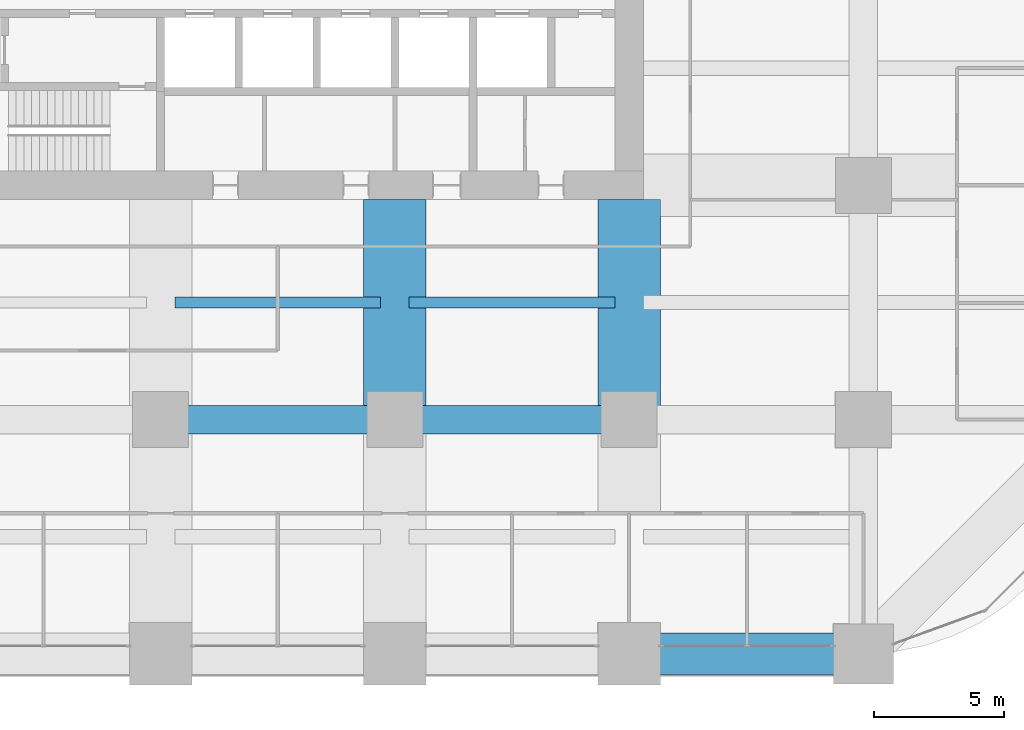
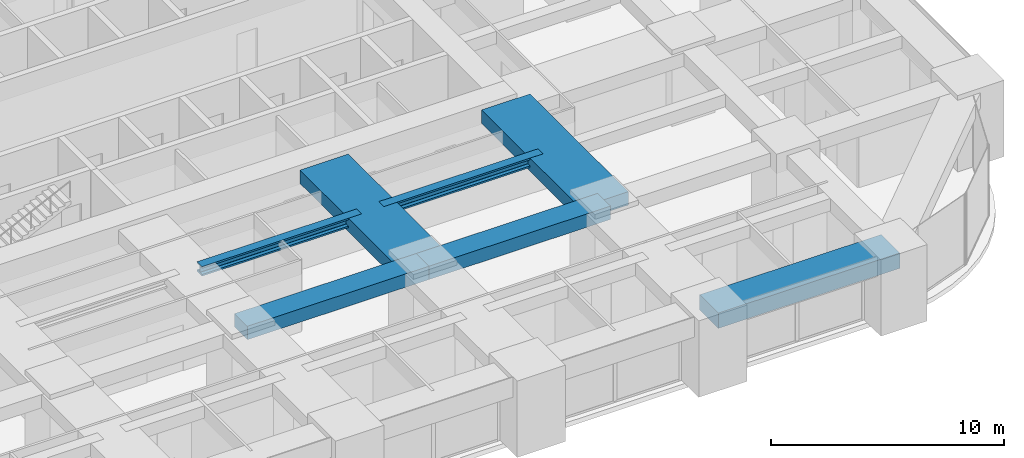
# One storey, part 14 of 45: 7 beams.
"""IFC4 building model written with IfcOpenShell, lengths in metres."""

from ifc_helpers import new_model, si_unit, direction, frame, origin, origin_2d, place, context, subcontext, project, spatial, rectangle, i_section, extrude, material, material_profile, profile_set, type_object, element, save


model = new_model("IFC4")

# Units and contexts
model_context = context("Model", 3, precision=1e-05, world=origin(), true_north=direction((0.0, 1.0)))
body_context = subcontext(model_context, "Body", "Model", "MODEL_VIEW")
ifc_project = project(units=[si_unit("LENGTHUNIT", "METRE"), si_unit("AREAUNIT", "SQUARE_METRE"), si_unit("VOLUMEUNIT", "CUBIC_METRE"), si_unit("PLANEANGLEUNIT", "RADIAN"), si_unit("MASSUNIT", "GRAM", prefix="KILO")], contexts=[model_context])

# Site, building, storey
site_placement = place(None, origin())
site = spatial("IfcSite", under=ifc_project, at=site_placement, CompositionType="ELEMENT")
building_placement = place(site_placement, origin())
building = spatial("IfcBuilding", under=site, at=building_placement, Name="Zorevar Civic Tower", CompositionType="ELEMENT")
storey_placement = place(building_placement, frame((0.0, 0.0, 71.800048828125)))
storey = spatial("IfcBuildingStorey", under=building, at=storey_placement, Name="L17", CompositionType="ELEMENT", Elevation=71.800048828125)

# Beams
ifc_material_1 = material(Name="Concrete C50/60", Category="concrete")
ifc_material_profile_1 = material_profile(ifc_material_1, rectangle(XDim=1.10009765625, YDim=0.699951171875, at=origin_2d()), Name="RC 1100x700")
ifc_profile_set_1 = profile_set([ifc_material_profile_1], Name="Concrete C50/60")
beam_type_1 = type_object("IfcBeamType", Name="Beam RC 1100x700", PredefinedType="BEAM", material=ifc_profile_set_1)
for number, where, z_axis, x_axis, name in (
    (1, (27.0, 9.0, 3.39990234375), (1.0, 0.0, 0.0), (0.0, 1.0, 0.0), "Girder L18"),
    (2, (36.0, 9.0, 3.39990234375), (1.0, 0.0, 0.0), (0.0, 1.0, 0.0), "Girder L18"),
):
    element("IfcBeam", number, at=place(storey_placement, frame(where, z_axis=z_axis, x_axis=x_axis)), inside=storey, type_object=beam_type_1, Name=name, PredefinedType="BEAM", context=body_context, shape_type="SweptSolid", body=[
        extrude(rectangle(XDim=1.10009765625, YDim=0.699951171875, at=origin_2d()), origin(), (0.0, 0.0, 1.0), 9.0),
    ])
ifc_material_2 = material(Name="Concrete C50/60", Category="concrete")
ifc_material_profile_2 = material_profile(ifc_material_2, rectangle(XDim=2.39990234375, YDim=0.699951171875, at=origin_2d()), Name="RC 2400x700")
ifc_profile_set_2 = profile_set([ifc_material_profile_2], Name="Concrete C50/60")
beam_type_2 = type_object("IfcBeamType", Name="Beam RC 2400x700", PredefinedType="BEAM", material=ifc_profile_set_2)
for number, where, z_axis, x_axis, name in (
    (3, (36.0, 9.0, 3.39990234375), (0.0, 1.0, 0.0), (-1.0, 0.0, 0.0), "Girder L18"),
    (4, (45.0, 9.0, 3.39990234375), (0.0, 1.0, 0.0), (-1.0, 0.0, 0.0), "Girder L18"),
):
    element("IfcBeam", number, at=place(storey_placement, frame(where, z_axis=z_axis, x_axis=x_axis)), inside=storey, type_object=beam_type_2, Name=name, PredefinedType="BEAM", context=body_context, shape_type="SweptSolid", body=[
        extrude(rectangle(XDim=2.39990234375, YDim=0.699951171875, at=origin_2d()), origin(), (0.0, 0.0, 1.0), 8.449951171875),
    ])
ifc_material_3 = material(Name="Steel S460M (HISTAR 460)", Category="steel")
ifc_material_profile_3 = material_profile(ifc_material_3, i_section(OverallWidth=0.431884765625, OverallDepth=0.498046875, WebThickness=0.0556640625, FlangeThickness=0.0888671875, FilletRadius=0.014892578125, at=origin_2d()), Name="HD 400x744")
ifc_profile_set_3 = profile_set([ifc_material_profile_3], Name="Steel S460M (HISTAR 460)")
beam_type_3 = type_object("IfcBeamType", Name="Core bay beam HD 400x744", PredefinedType="BEAM", material=ifc_profile_set_3)
for number, where, z_axis, x_axis, name in (
    (5, (27.550048828125, 13.5, 3.5009765625), (1.0, 0.0, 0.0), (0.0, 1.0, 0.0), "Secondary beam L18"),
    (6, (36.550048828125, 13.5, 3.5009765625), (1.0, 0.0, 0.0), (0.0, 1.0, 0.0), "Secondary beam L18"),
):
    element("IfcBeam", number, at=place(storey_placement, frame(where, z_axis=z_axis, x_axis=x_axis)), inside=storey, type_object=beam_type_3, Name=name, PredefinedType="BEAM", context=body_context, shape_type="SweptSolid", body=[
        extrude(i_section(OverallWidth=0.431884765625, OverallDepth=0.498046875, WebThickness=0.0556640625, FlangeThickness=0.0888671875, FilletRadius=0.014892578125, at=origin_2d()), origin(), (0.0, 0.0, 1.0), 7.89990234375),
    ])
ifc_material_4 = material(Name="Concrete C50/60", Category="concrete")
ifc_material_profile_4 = material_profile(ifc_material_4, rectangle(XDim=1.60009765625, YDim=0.800048828125, at=origin_2d()), Name="RC 1600x800")
ifc_profile_set_4 = profile_set([ifc_material_profile_4], Name="Concrete C50/60")
beam_type_4 = type_object("IfcBeamType", Name="Edge beam RC 1600x800", PredefinedType="SPANDREL", material=ifc_profile_set_4)
beam_placement = place(storey_placement, frame((45.0, 0.0, 3.349853515625), z_axis=(1.0, 0.0, 0.0), x_axis=(0.0, 1.0, 0.0)))
element("IfcBeam", 7, at=beam_placement, inside=storey, type_object=beam_type_4, Name="Edge beam L18", PredefinedType="SPANDREL", context=body_context, shape_type="SweptSolid", body=[
    extrude(rectangle(XDim=1.60009765625, YDim=0.800048828125, at=origin_2d()), origin(), (0.0, 0.0, 1.0), 9.0),
])

save(model, "model.ifc")
